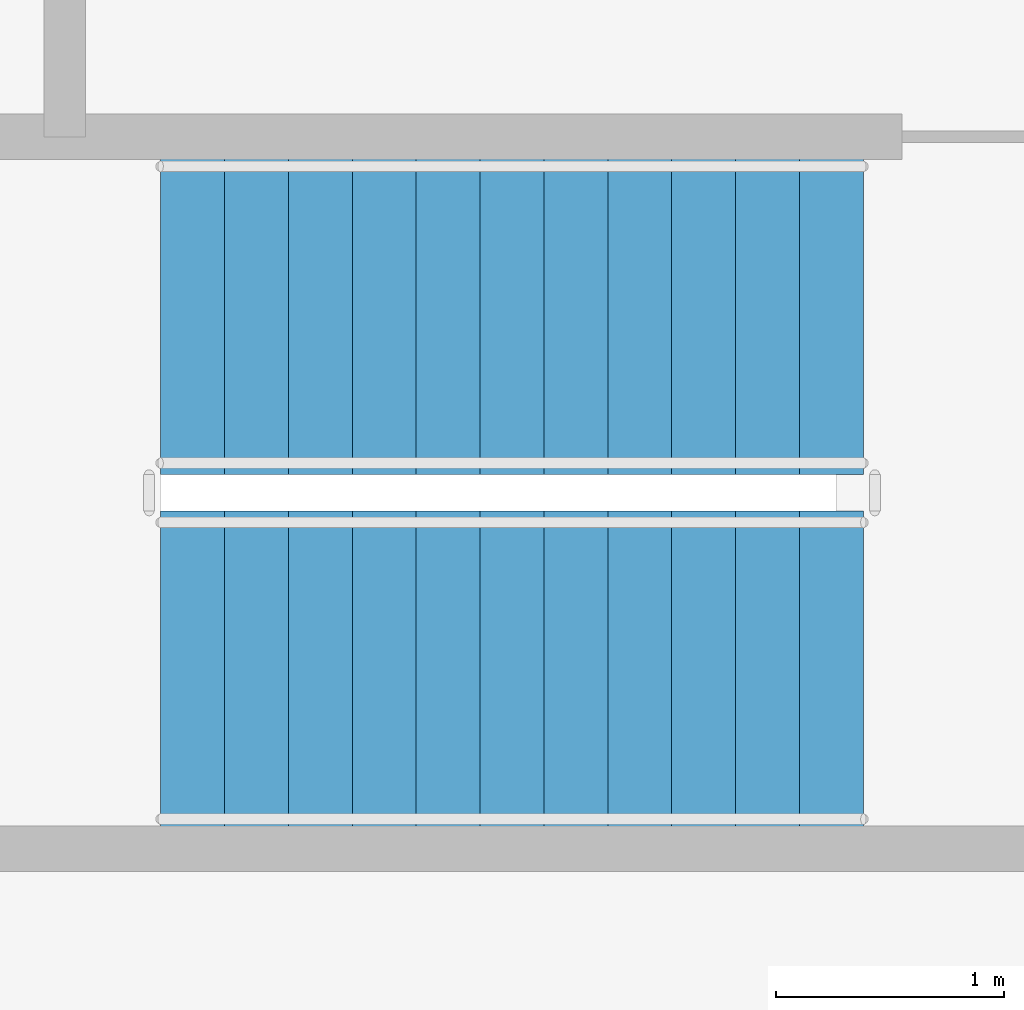
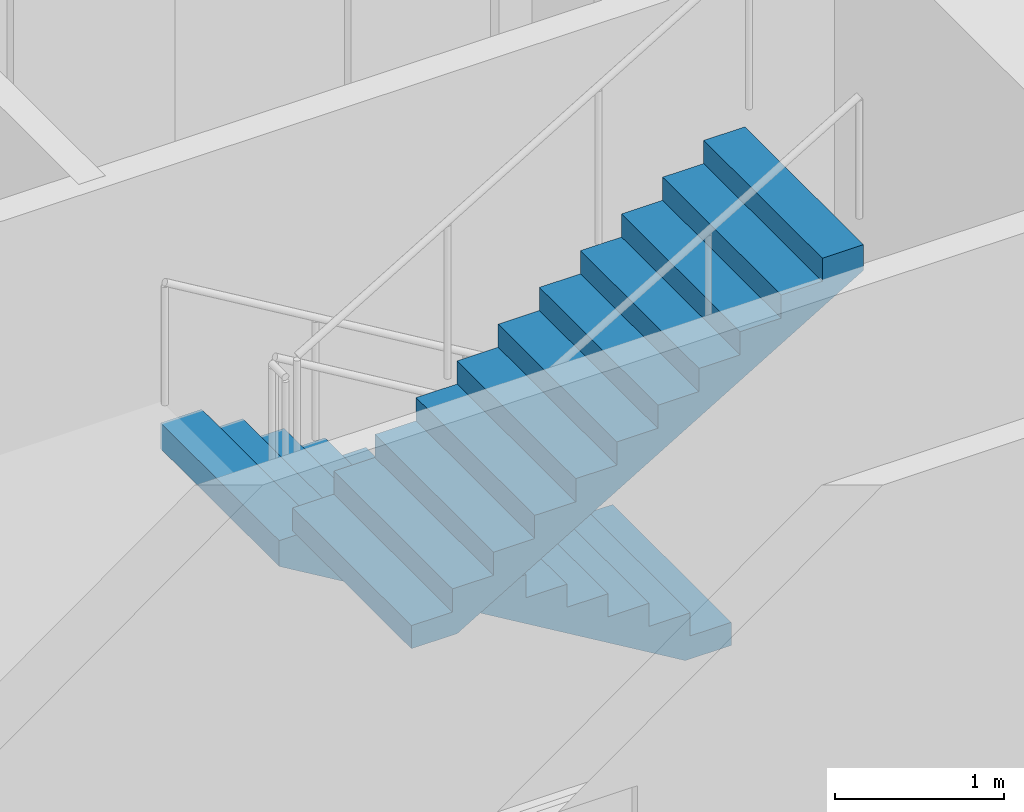
# One storey, part 14 of 17: 2 stair flights, 1 element without a shape of its own.
"""IFC4 building model written with IfcOpenShell, lengths in metres."""

import ifcopenshell
import ifcopenshell.guid

model = None  # the IFC model being written
_history = None  # IfcOwnerHistory: only IFC2X3 demands one
_inside = {}  # id of a spatial element -> (the spatial element, [elements in it])
_under = {}  # id of a project, library or spatial element -> (it, [spatial elements below it])
_declared = {}  # id of a project -> (the project, [libraries it declares])
_typed = {}  # id of a type object -> (the type object, [elements of that type])
_made_of = {}  # id of a material, layer set ... -> (it, [elements and type objects made of it])


def new_model(schema):
    """Start an empty IFC model of exactly this schema.

    Asked for "IFC4X3", IfcOpenShell would pick the latest addendum, in which some entities
    have other attributes; the version numbers below select the first issue.
    IFC2X3 requires an IfcOwnerHistory on every rooted entity: one is made here for all.
    """
    global model, _history
    if schema == "IFC4X3":
        model = ifcopenshell.file(schema_version=(4, 3, 0, 0))
    else:
        model = ifcopenshell.file(schema=schema)
    _inside.clear()
    _under.clear()
    _declared.clear()
    _typed.clear()
    _made_of.clear()
    _history = None
    if model.schema == "IFC2X3":
        org = make("IfcOrganization", Name="unknown")
        user = make(
            "IfcPersonAndOrganization",
            ThePerson=make("IfcPerson", FamilyName="unknown"),
            TheOrganization=org,
        )
        app = make(
            "IfcApplication",
            ApplicationDeveloper=org,
            Version="unknown",
            ApplicationFullName="unknown",
            ApplicationIdentifier="unknown",
        )
        _history = make(
            "IfcOwnerHistory",
            OwningUser=user,
            OwningApplication=app,
            ChangeAction="ADDED",
            CreationDate=0,
        )
    return model


def make(cls, **values):
    """One entity of the class cls with the attributes given. An attribute that is None is left unset."""
    return model.create_entity(
        cls, **{name: value for name, value in values.items() if value is not None}
    )


def rooted(cls, **values):
    """An entity with a GlobalId (a new one), such as an element, a storey or a relation."""
    return make(cls, GlobalId=ifcopenshell.guid.new(), OwnerHistory=_history, **values)


def si_unit(unit_type, name, prefix=None):
    """IfcSIUnit, for example si_unit("LENGTHUNIT", "METRE", prefix="MILLI")."""
    return make("IfcSIUnit", UnitType=unit_type, Prefix=prefix, Name=name)


def assignment(units):
    """IfcUnitAssignment: the units of a project."""
    return None if units is None else make("IfcUnitAssignment", Units=units)


def point(xyz):
    """IfcCartesianPoint."""
    return None if xyz is None else make("IfcCartesianPoint", Coordinates=xyz)


def direction(xyz):
    """IfcDirection."""
    return None if xyz is None else make("IfcDirection", DirectionRatios=xyz)


def frame(location, z_axis=None, x_axis=None):
    """IfcAxis2Placement3D, a coordinate frame: its origin and axes. An axis left out is left unset."""
    return make(
        "IfcAxis2Placement3D",
        Location=point(location),
        Axis=direction(z_axis),
        RefDirection=direction(x_axis),
    )


def origin():
    """The frame at (0, 0, 0) with its axes left unset."""
    return frame((0.0, 0.0, 0.0))


def place(relative_to, where):
    """IfcLocalPlacement: puts the frame where relative to a parent placement (None: the world)."""
    return make(
        "IfcLocalPlacement", PlacementRelTo=relative_to, RelativePlacement=where
    )


def context(
    kind, dimensions, precision=None, world=None, true_north=None, identifier=None
):
    """IfcGeometricRepresentationContext, for example the 3D "Model" context."""
    return make(
        "IfcGeometricRepresentationContext",
        ContextIdentifier=identifier,
        ContextType=kind,
        CoordinateSpaceDimension=dimensions,
        Precision=precision,
        WorldCoordinateSystem=world,
        TrueNorth=true_north,
    )


def subcontext(parent, identifier, kind, view, scale=None):
    """IfcGeometricRepresentationSubContext, for example "Body" below "Model"."""
    return make(
        "IfcGeometricRepresentationSubContext",
        ContextIdentifier=identifier,
        ContextType=kind,
        ParentContext=parent,
        TargetScale=scale,
        TargetView=view,
    )


def project(units=None, contexts=None):
    """IfcProject with its units and contexts."""
    return rooted(
        "IfcProject",
        Name="project",
        RepresentationContexts=contexts,
        UnitsInContext=assignment(units),
    )


def spatial(cls, under=None, at=None, **own):
    """A site, building, storey or space (cls), placed at a placement, below another one or the project."""
    s = rooted(cls, ObjectPlacement=at, **own)
    if under is not None:
        _under.setdefault(under.id(), (under, []))[1].append(s)
    return s


def polyline(points):
    """IfcPolyline through the points."""
    return make("IfcPolyline", Points=[point(p) for p in points])


def outline(outer, holes=None, kind="AREA"):
    """IfcArbitraryClosedProfileDef: a profile drawn as a closed curve; with holes, ...WithVoids."""
    if holes is None:
        return make("IfcArbitraryClosedProfileDef", ProfileType=kind, OuterCurve=outer)
    return make(
        "IfcArbitraryProfileDefWithVoids",
        ProfileType=kind,
        OuterCurve=outer,
        InnerCurves=holes,
    )


def extrude(swept, where, along, depth):
    """IfcExtrudedAreaSolid: the profile swept, set in the frame where, extruded along a direction by depth."""
    return make(
        "IfcExtrudedAreaSolid",
        SweptArea=swept,
        Position=where,
        ExtrudedDirection=direction(along),
        Depth=depth,
    )


def shape(context_of_items, identifier, shape_type, items):
    """IfcShapeRepresentation: the items that make up one representation, for example the "Body"."""
    return make(
        "IfcShapeRepresentation",
        ContextOfItems=context_of_items,
        RepresentationIdentifier=identifier,
        RepresentationType=shape_type,
        Items=items,
    )


def material(Name=None, Category=None):
    """IfcMaterial."""
    return make("IfcMaterial", Name=Name, Category=Category)


def made_of(thing, what):
    """Note that an element or type object is made of a material, layer set ...; save() writes the relation."""
    if what is not None:
        _made_of.setdefault(what.id(), (what, []))[1].append(thing)
    return thing


def type_object(cls, material=None, **own):
    """A type object (cls), such as IfcWallType, which elements share."""
    return made_of(rooted(cls, **own), material)


def element(
    cls,
    number,
    at=None,
    inside=None,
    cuts=None,
    type_object=None,
    material=None,
    context=None,
    identifier="Body",
    shape_type=None,
    held_by="IfcProductDefinitionShape",
    body=None,
    shapes=None,
    **own,
):
    """One element of the class cls, such as IfcWall. Its Tag is "e" and its number.

    at: its placement. inside: the storey or other place that contains it. cuts: it is an
    opening in that element (IfcRelVoidsElement). A single representation is given by context,
    identifier, shape_type and body (its items); several are given by shapes. held_by: the class
    of the entity that holds the representations. save() writes the other relations.
    """
    e = rooted(cls, Tag="e%d" % number, ObjectPlacement=at, **own)
    if body is not None:
        shapes = [shape(context, identifier, shape_type, body)]
    if shapes is not None:
        e.Representation = make(held_by, Representations=shapes)
    if inside is not None:
        _inside.setdefault(inside.id(), (inside, []))[1].append(e)
    if cuts is not None:
        rooted(
            "IfcRelVoidsElement", RelatingBuildingElement=cuts, RelatedOpeningElement=e
        )
    if type_object is not None:
        _typed.setdefault(type_object.id(), (type_object, []))[1].append(e)
    return made_of(e, material)


def aggregate(whole, parts):
    """IfcRelAggregates: a whole, such as a stair, and the parts it consists of."""
    return rooted("IfcRelAggregates", RelatingObject=whole, RelatedObjects=parts)


def save(model, path):
    """Write the relations noted so far, then the file.

    IfcRelAggregates (storeys below a building ...), IfcRelContainedInSpatialStructure (elements
    in a storey), IfcRelDefinesByType, IfcRelAssociatesMaterial and IfcRelDeclares: one each for
    every whole, place, type object, material and project.
    """
    for whole, parts in _under.values():
        aggregate(whole, parts)
    for where, things in _inside.values():
        rooted(
            "IfcRelContainedInSpatialStructure",
            RelatedElements=things,
            RelatingStructure=where,
        )
    for kind, things in _typed.values():
        rooted("IfcRelDefinesByType", RelatedObjects=things, RelatingType=kind)
    for what, things in _made_of.values():
        rooted("IfcRelAssociatesMaterial", RelatedObjects=things, RelatingMaterial=what)
    for by, libraries in _declared.values():
        rooted("IfcRelDeclares", RelatingContext=by, RelatedDefinitions=libraries)
    model.write(path)


model = new_model("IFC4")

# Units and contexts
model_context = context("Model", 3, precision=1e-05, world=origin(), true_north=direction((0.0, 1.0)))
body_context = subcontext(model_context, "Body", "Model", "MODEL_VIEW")
ifc_project = project(units=[si_unit("LENGTHUNIT", "METRE"), si_unit("AREAUNIT", "SQUARE_METRE"), si_unit("VOLUMEUNIT", "CUBIC_METRE"), si_unit("PLANEANGLEUNIT", "RADIAN"), si_unit("MASSUNIT", "GRAM", prefix="KILO")], contexts=[model_context])

# Site, building, storey
site_placement = place(None, origin())
site = spatial("IfcSite", under=ifc_project, at=site_placement, CompositionType="ELEMENT")
building_placement = place(site_placement, origin())
building = spatial("IfcBuilding", under=site, at=building_placement, Name="Drelvath Grand Hotel", CompositionType="ELEMENT")
storey_placement = place(building_placement, frame((0.0, 0.0, 311.39990234375)))
storey = spatial("IfcBuildingStorey", under=building, at=storey_placement, Name="L81", CompositionType="ELEMENT", Elevation=311.39990234375)

# Stair, stair flights
ifc_material = material(Name="Concrete C40/50", Category="concrete")
stair_type = type_object("IfcStairType", Name="Dogleg Exit Stair W1400-R166.7", PredefinedType="HALF_TURN_STAIR", material=ifc_material)
stair_placement = place(storey_placement, origin())
stair = element("IfcStair", 1, at=stair_placement, inside=storey, type_object=stair_type, Name="L81 Core Exit Stair ST-2", PredefinedType="HALF_TURN_STAIR")
stair_flight_type = type_object("IfcStairFlightType", Name="Concrete Stair Flight W1400-R166.7", PredefinedType="STRAIGHT", material=ifc_material)
stair_flight_1_placement = place(storey_placement, frame((6.60009765625, 27.3798828125, 0.0), z_axis=(0.0, 0.0, 1.0), x_axis=(-1.0, 0.0, 0.0)))
stair_flight_1 = element("IfcStairFlight", 2, at=stair_flight_1_placement, type_object=stair_flight_type, Name="ST-2 flight 1", NumberOfRisers=12, NumberOfTreads=11, PredefinedType="STRAIGHT", RiserHeight=0.166666667, TreadLength=0.28, context=body_context, shape_type="SweptSolid", body=[
    extrude(outline(polyline([(0.0, 0.0), (0.0, 0.166748046875), (0.280029296875, 0.166748046875), (0.280029296875, 0.333251953125), (0.56005859375, 0.333251953125), (0.56005859375, 0.5), (0.840087890625, 0.5), (0.840087890625, 0.666748046875), (1.1201171875, 0.666748046875), (1.1201171875, 0.833251953125), (1.39990234375, 0.833251953125), (1.39990234375, 1.0), (1.679931640625, 1.0), (1.679931640625, 1.166748046875), (1.9599609375, 1.166748046875), (1.9599609375, 1.333251953125), (2.239990234375, 1.333251953125), (2.239990234375, 1.5), (2.52001953125, 1.5), (2.52001953125, 1.666748046875), (2.800048828125, 1.666748046875), (2.800048828125, 1.833251953125), (3.080078125, 1.833251953125), (3.080078125, 2.0), (3.080078125, 1.647216796875), (0.312744140625, 0.0), (0.0, 0.0)])), frame((0.0, 0.699951171875, 0.0), z_axis=(0.0, -1.0, 0.0), x_axis=(1.0, 0.0, 0.0)), (0.0, 0.0, 1.0), 1.39990234375),
])
stair_flight_2_placement = place(storey_placement, frame((3.52001953125, 25.820068359375, 2.0), z_axis=(0.0, 0.0, 1.0), x_axis=(1.0, 0.0, 0.0)))
stair_flight_2 = element("IfcStairFlight", 3, at=stair_flight_2_placement, type_object=stair_flight_type, Name="ST-2 flight 2", NumberOfRisers=12, NumberOfTreads=11, PredefinedType="STRAIGHT", RiserHeight=0.166666667, TreadLength=0.28, context=body_context, shape_type="SweptSolid", body=[
    extrude(outline(polyline([(0.0, 0.0), (0.0, 0.166748046875), (0.280029296875, 0.166748046875), (0.280029296875, 0.333251953125), (0.56005859375, 0.333251953125), (0.56005859375, 0.5), (0.840087890625, 0.5), (0.840087890625, 0.666748046875), (1.1201171875, 0.666748046875), (1.1201171875, 0.833251953125), (1.39990234375, 0.833251953125), (1.39990234375, 1.0), (1.679931640625, 1.0), (1.679931640625, 1.166748046875), (1.9599609375, 1.166748046875), (1.9599609375, 1.333251953125), (2.239990234375, 1.333251953125), (2.239990234375, 1.5), (2.52001953125, 1.5), (2.52001953125, 1.666748046875), (2.800048828125, 1.666748046875), (2.800048828125, 1.833251953125), (3.080078125, 1.833251953125), (3.080078125, 2.0), (3.080078125, 1.647216796875), (0.312744140625, 0.0), (0.0, 0.0)])), frame((0.0, 0.699951171875, 0.0), z_axis=(0.0, -1.0, 0.0), x_axis=(1.0, 0.0, 0.0)), (0.0, 0.0, 1.0), 1.39990234375),
])
aggregate(stair, [stair_flight_1, stair_flight_2])

save(model, "model.ifc")
